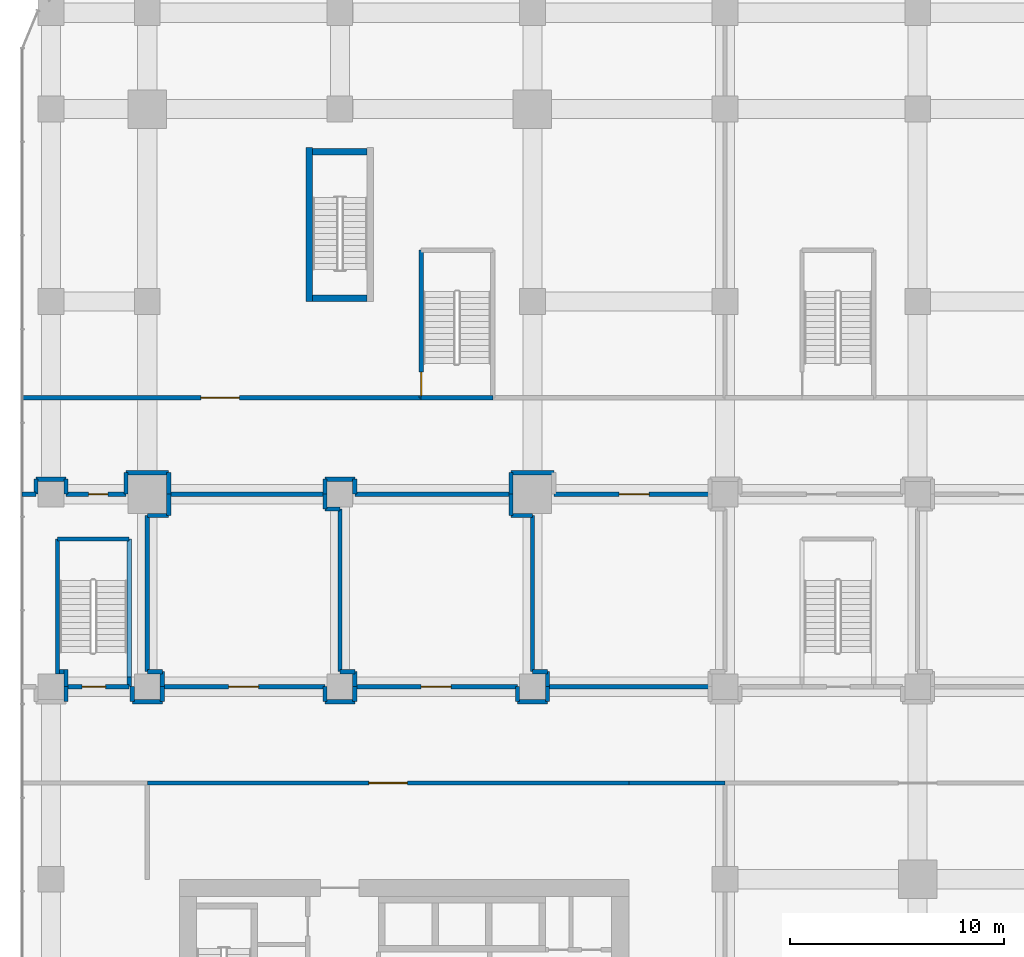
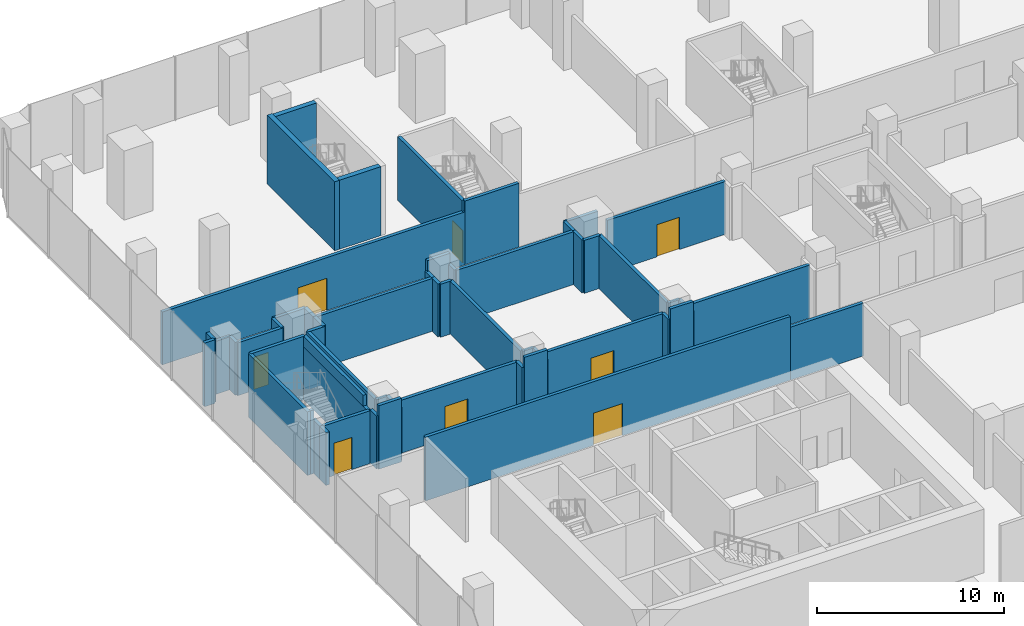
# One storey, part 31 of 43: 59 walls, 8 doors, 8 openings.
"""IFC4 building model written with IfcOpenShell, lengths in metres."""

from ifc_helpers import new_model, si_unit, direction, frame, frame_2d, origin, place, context, subcontext, project, spatial, rectangle, extrude, material, layer, layer_set, type_object, element, fill, save


model = new_model("IFC4")

# Units and contexts
model_context = context("Model", 3, precision=1e-05, world=origin(), true_north=direction((0.0, 1.0)))
body_context = subcontext(model_context, "Body", "Model", "MODEL_VIEW")
ifc_project = project(units=[si_unit("LENGTHUNIT", "METRE"), si_unit("AREAUNIT", "SQUARE_METRE"), si_unit("VOLUMEUNIT", "CUBIC_METRE"), si_unit("PLANEANGLEUNIT", "RADIAN"), si_unit("MASSUNIT", "GRAM", prefix="KILO")], contexts=[model_context])

# Site, building, storey
site_placement = place(None, origin())
site = spatial("IfcSite", under=ifc_project, at=site_placement, CompositionType="ELEMENT")
building_placement = place(site_placement, origin())
building = spatial("IfcBuilding", under=site, at=building_placement, Name="Plateau Cross Towers", CompositionType="ELEMENT")
storey_placement = place(building_placement, frame((0.0, 0.0, 12.800048828125)))
storey = spatial("IfcBuildingStorey", under=building, at=storey_placement, Name="L02", CompositionType="ELEMENT", Elevation=12.800048828125)

# Wall, opening, door
ifc_material_1 = material(Name="Gypsum board on steel studs, two layers each side", Category="steel")
ifc_layer_1 = layer(ifc_material_1, 0.199951171875)
ifc_layer_set_1 = layer_set([ifc_layer_1], Name="Gypsum board on steel studs, two layers each side")
wall_type_1 = type_object("IfcWallType", Name="Podium compartment wall 200", PredefinedType="PARTITIONING", material=ifc_layer_set_1)
wall_1_placement = place(storey_placement, frame((-1.0, 36.0, 0.0), z_axis=(0.0, 0.0, 1.0), x_axis=(-1.0, 0.0, 0.0)))
wall_1 = element("IfcWall", 1, at=wall_1_placement, inside=storey, type_object=wall_type_1, Name="Partition wall", PredefinedType="PARTITIONING", context=body_context, shape_type="SweptSolid", body=[
    extrude(rectangle(XDim=2.800048828125, YDim=0.199951171875, at=frame_2d((1.39990234375, 0.0))), origin(), (0.0, 0.0, 1.0), 3.449951171875),
])
opening_1_placement = place(wall_1_placement, frame((0.85009765625, 0.0, 0.0)))
opening_1 = element("IfcOpeningElement", 2, at=opening_1_placement, cuts=wall_1, Name="Opening 02-18", PredefinedType="OPENING", context=body_context, shape_type="SweptSolid", body=[
    extrude(rectangle(XDim=0.89990234375, YDim=2.10009765625, at=frame_2d((0.449951171875, 1.050048828125))), frame((0.0, 0.10986328125, 0.0), z_axis=(0.0, -1.0, 0.0), x_axis=(1.0, 0.0, 0.0)), (0.0, 0.0, 1.0), 0.219970703125),
])
ifc_material_2 = material(Name="Timber, fire-resisting leaf", Category="wood")
door_type_1 = type_object("IfcDoorType", Name="Podium service door 900", OperationType="NOTDEFINED", PredefinedType="DOOR", material=ifc_material_2)
door_1_placement = place(opening_1_placement, origin())
door_1 = element("IfcDoor", 3, at=door_1_placement, inside=storey, type_object=door_type_1, Name="Door 02-18", OperationType="SINGLE_SWING_LEFT", OverallHeight=2.10009765625, OverallWidth=0.89990234375, PredefinedType="DOOR", context=body_context, shape_type="SweptSolid", body=[
    extrude(rectangle(XDim=0.89990234375, YDim=2.10009765625, at=frame_2d((0.449951171875, 1.050048828125))), frame((0.0, 0.02490234375, 0.0), z_axis=(0.0, -1.0, 0.0), x_axis=(1.0, 0.0, 0.0)), (0.0, 0.0, 1.0), 0.050048828125),
])
fill(opening_1, door_1)

ifc_material_3 = material(Name="Gypsum board on steel studs", Category="steel")
ifc_layer_2 = layer(ifc_material_3, 0.199951171875)
ifc_layer_set_2 = layer_set([ifc_layer_2], Name="Gypsum board on steel studs")
wall_type_2 = type_object("IfcWallType", Name="Podium partition 200", PredefinedType="PARTITIONING", material=ifc_layer_set_2)
wall_2_placement = place(storey_placement, frame((0.0, 22.5, 0.0), z_axis=(0.0, 0.0, 1.0), x_axis=(1.0, 0.0, 0.0)))
wall_2 = element("IfcWall", 4, at=wall_2_placement, inside=storey, type_object=wall_type_2, Name="Partition wall", PredefinedType="PARTITIONING", context=body_context, shape_type="SweptSolid", body=[
    extrude(rectangle(XDim=22.5, YDim=0.199951171875, at=frame_2d((11.25, 0.0))), origin(), (0.0, 0.0, 1.0), 4.14990234375),
])
opening_2_placement = place(wall_2_placement, frame((10.35009765625, 0.0, 0.0)))
opening_2 = element("IfcOpeningElement", 5, at=opening_2_placement, cuts=wall_2, Name="Opening 02-35", PredefinedType="OPENING", context=body_context, shape_type="SweptSolid", body=[
    extrude(rectangle(XDim=1.800048828125, YDim=2.10009765625, at=frame_2d((0.89990234375, 1.050048828125))), frame((0.0, 0.10986328125, 0.0), z_axis=(0.0, -1.0, 0.0), x_axis=(1.0, 0.0, 0.0)), (0.0, 0.0, 1.0), 0.219970703125),
])
ifc_material_4 = material(Name="Aluminium frame, toughened glass", Category="aluminium")
door_type_2 = type_object("IfcDoorType", Name="Podium door pair 1800", OperationType="NOTDEFINED", PredefinedType="DOOR", material=ifc_material_4)
door_2_placement = place(opening_2_placement, origin())
door_2 = element("IfcDoor", 6, at=door_2_placement, inside=storey, type_object=door_type_2, Name="Door 02-35", OperationType="DOUBLE_DOOR_SINGLE_SWING", OverallHeight=2.10009765625, OverallWidth=1.800048828125, PredefinedType="DOOR", context=body_context, shape_type="SweptSolid", body=[
    extrude(rectangle(XDim=1.800048828125, YDim=2.10009765625, at=frame_2d((0.89990234375, 1.050048828125))), frame((0.0, 0.02490234375, 0.0), z_axis=(0.0, -1.0, 0.0), x_axis=(1.0, 0.0, 0.0)), (0.0, 0.0, 1.0), 0.050048828125),
])
fill(opening_2, door_2)

# Wall
wall_3_placement = place(storey_placement, frame((22.5, 22.5, 0.0), z_axis=(0.0, 0.0, 1.0), x_axis=(1.0, 0.0, 0.0)))
element("IfcWall", 7, at=wall_3_placement, inside=storey, type_object=wall_type_2, Name="Partition wall", PredefinedType="PARTITIONING", context=body_context, shape_type="SweptSolid", body=[
    extrude(rectangle(XDim=4.5, YDim=0.199951171875, at=frame_2d((2.25, 0.0))), origin(), (0.0, 0.0, 1.0), 3.449951171875),
])

# Wall, opening, door
wall_4_placement = place(storey_placement, frame((-5.85009765625, 40.5, 0.0), z_axis=(0.0, 0.0, 1.0), x_axis=(1.0, 0.0, 0.0)))
wall_4 = element("IfcWall", 8, at=wall_4_placement, inside=storey, type_object=wall_type_2, Name="Partition wall", PredefinedType="PARTITIONING", context=body_context, shape_type="SweptSolid", body=[
    extrude(rectangle(XDim=18.650146484375, YDim=0.199951171875, at=frame_2d((9.3251953125, 0.0))), origin(), (0.0, 0.0, 1.0), 3.449951171875),
])
opening_3_placement = place(wall_4_placement, frame((8.35009765625, 0.0, 0.0)))
opening_3 = element("IfcOpeningElement", 9, at=opening_3_placement, cuts=wall_4, Name="Opening 02-33", PredefinedType="OPENING", context=body_context, shape_type="SweptSolid", body=[
    extrude(rectangle(XDim=1.800048828125, YDim=2.10009765625, at=frame_2d((0.89990234375, 1.050048828125))), frame((0.0, 0.10986328125, 0.0), z_axis=(0.0, -1.0, 0.0), x_axis=(1.0, 0.0, 0.0)), (0.0, 0.0, 1.0), 0.219970703125),
])
door_3_placement = place(opening_3_placement, origin())
door_3 = element("IfcDoor", 10, at=door_3_placement, inside=storey, type_object=door_type_2, Name="Door 02-33", OperationType="DOUBLE_DOOR_SINGLE_SWING", OverallHeight=2.10009765625, OverallWidth=1.800048828125, PredefinedType="DOOR", context=body_context, shape_type="SweptSolid", body=[
    extrude(rectangle(XDim=1.800048828125, YDim=2.10009765625, at=frame_2d((0.89990234375, 1.050048828125))), frame((0.0, 0.02490234375, 0.0), z_axis=(0.0, -1.0, 0.0), x_axis=(1.0, 0.0, 0.0)), (0.0, 0.0, 1.0), 0.050048828125),
])
fill(opening_3, door_3)

wall_5_placement = place(storey_placement, frame((26.300048828125, 36.0, 0.0), z_axis=(0.0, 0.0, 1.0), x_axis=(-1.0, 0.0, 0.0)))
wall_5 = element("IfcWall", 11, at=wall_5_placement, inside=storey, type_object=wall_type_2, Name="Partition wall", PredefinedType="PARTITIONING", context=body_context, shape_type="SweptSolid", body=[
    extrude(rectangle(XDim=7.300048828125, YDim=0.199951171875, at=frame_2d((3.64990234375, 0.0))), origin(), (0.0, 0.0, 1.0), 3.449951171875),
])
opening_4_placement = place(wall_5_placement, frame((2.85009765625, 0.0, 0.0)))
opening_4 = element("IfcOpeningElement", 12, at=opening_4_placement, cuts=wall_5, Name="Opening 02-21", PredefinedType="OPENING", context=body_context, shape_type="SweptSolid", body=[
    extrude(rectangle(XDim=1.39990234375, YDim=2.10009765625, at=frame_2d((0.699951171875, 1.050048828125))), frame((0.0, 0.10986328125, 0.0), z_axis=(0.0, -1.0, 0.0), x_axis=(1.0, 0.0, 0.0)), (0.0, 0.0, 1.0), 0.219970703125),
])
ifc_material_5 = material(Name="Timber, hospital grade leaf", Category="wood")
door_type_3 = type_object("IfcDoorType", Name="Clinic bed access door 1400x2100", OperationType="NOTDEFINED", PredefinedType="DOOR", material=ifc_material_5)
door_4_placement = place(opening_4_placement, origin())
door_4 = element("IfcDoor", 13, at=door_4_placement, inside=storey, type_object=door_type_3, Name="Door 02-21", OperationType="SINGLE_SWING_LEFT", OverallHeight=2.10009765625, OverallWidth=1.39990234375, PredefinedType="DOOR", context=body_context, shape_type="SweptSolid", body=[
    extrude(rectangle(XDim=1.39990234375, YDim=2.10009765625, at=frame_2d((0.699951171875, 1.050048828125))), frame((0.0, 0.02490234375, 0.0), z_axis=(0.0, -1.0, 0.0), x_axis=(1.0, 0.0, 0.0)), (0.0, 0.0, 1.0), 0.050048828125),
])
fill(opening_4, door_4)

# Walls
wall_6_placement = place(storey_placement, frame((19.0, 37.0, 0.0), z_axis=(0.0, 0.0, 1.0), x_axis=(-1.0, 0.0, 0.0)))
element("IfcWall", 14, at=wall_6_placement, inside=storey, type_object=wall_type_2, Name="Partition wall", PredefinedType="PARTITIONING", context=body_context, shape_type="SweptSolid", body=[
    extrude(rectangle(XDim=2.0, YDim=0.199951171875, at=frame_2d((1.0, 0.0))), origin(), (0.0, 0.0, 1.0), 3.449951171875),
])
for number, where, z_axis, x_axis, name in (
    (15, (17.0, 37.0, 0.0), (0.0, 0.0, 1.0), (0.0, -1.0, 0.0), "Partition wall"),
    (16, (17.0, 36.0, 0.0), (0.0, 0.0, 1.0), (0.0, -1.0, 0.0), "Partition wall"),
    (17, (17.0, 35.0, 0.0), (0.0, 0.0, 1.0), (1.0, 0.0, 0.0), "Partition wall"),
):
    element("IfcWall", number, at=place(storey_placement, frame(where, z_axis=z_axis, x_axis=x_axis)), inside=storey, type_object=wall_type_2, Name=name, PredefinedType="PARTITIONING", context=body_context, shape_type="SweptSolid", body=[
        extrude(rectangle(XDim=1.0, YDim=0.199951171875, at=frame_2d((0.5, 0.0))), origin(), (0.0, 0.0, 1.0), 3.449951171875),
    ])
wall_7_placement = place(storey_placement, frame((18.0, 35.0, 0.0), z_axis=(0.0, 0.0, 1.0), x_axis=(0.0, -1.0, 0.0)))
element("IfcWall", 18, at=wall_7_placement, inside=storey, type_object=wall_type_2, Name="Partition wall", PredefinedType="PARTITIONING", context=body_context, shape_type="SweptSolid", body=[
    extrude(rectangle(XDim=7.300048828125, YDim=0.199951171875, at=frame_2d((3.64990234375, 0.0))), origin(), (0.0, 0.0, 1.0), 3.449951171875),
])
for number, where, z_axis, x_axis, name in (
    (19, (18.0, 27.699951171875, 0.0), (0.0, 0.0, 1.0), (1.0, 0.0, 0.0), "Partition wall"),
    (20, (18.699951171875, 27.699951171875, 0.0), (0.0, 0.0, 1.0), (0.0, -1.0, 0.0), "Partition wall"),
):
    element("IfcWall", number, at=place(storey_placement, frame(where, z_axis=z_axis, x_axis=x_axis)), inside=storey, type_object=wall_type_2, Name=name, PredefinedType="PARTITIONING", context=body_context, shape_type="SweptSolid", body=[
        extrude(rectangle(XDim=0.699951171875, YDim=0.199951171875, at=frame_2d((0.35009765625, 0.0))), origin(), (0.0, 0.0, 1.0), 3.449951171875),
    ])
for number, where, z_axis, x_axis, name in (
    (21, (1.0, 36.0, 0.0), (0.0, 0.0, 1.0), (0.0, -1.0, 0.0), "Partition wall"),
    (22, (1.0, 35.0, 0.0), (0.0, 0.0, 1.0), (-1.0, 0.0, 0.0), "Partition wall"),
):
    element("IfcWall", number, at=place(storey_placement, frame(where, z_axis=z_axis, x_axis=x_axis)), inside=storey, type_object=wall_type_2, Name=name, PredefinedType="PARTITIONING", context=body_context, shape_type="SweptSolid", body=[
        extrude(rectangle(XDim=1.0, YDim=0.199951171875, at=frame_2d((0.5, 0.0))), origin(), (0.0, 0.0, 1.0), 3.449951171875),
    ])
wall_8_placement = place(storey_placement, frame((0.0, 35.0, 0.0), z_axis=(0.0, 0.0, 1.0), x_axis=(0.0, -1.0, 0.0)))
element("IfcWall", 23, at=wall_8_placement, inside=storey, type_object=wall_type_2, Name="Partition wall", PredefinedType="PARTITIONING", context=body_context, shape_type="SweptSolid", body=[
    extrude(rectangle(XDim=7.300048828125, YDim=0.199951171875, at=frame_2d((3.64990234375, 0.0))), origin(), (0.0, 0.0, 1.0), 3.449951171875),
])
for number, where, z_axis, x_axis, name in (
    (24, (0.0, 27.699951171875, 0.0), (0.0, 0.0, 1.0), (1.0, 0.0, 0.0), "Partition wall"),
    (25, (0.699951171875, 27.699951171875, 0.0), (0.0, 0.0, 1.0), (0.0, -1.0, 0.0), "Partition wall"),
):
    element("IfcWall", number, at=place(storey_placement, frame(where, z_axis=z_axis, x_axis=x_axis)), inside=storey, type_object=wall_type_2, Name=name, PredefinedType="PARTITIONING", context=body_context, shape_type="SweptSolid", body=[
        extrude(rectangle(XDim=0.699951171875, YDim=0.199951171875, at=frame_2d((0.35009765625, 0.0))), origin(), (0.0, 0.0, 1.0), 3.449951171875),
    ])

# Wall, opening, door
wall_9_placement = place(storey_placement, frame((9.699951171875, 27.0, 0.0), z_axis=(0.0, 0.0, 1.0), x_axis=(1.0, 0.0, 0.0)))
wall_9 = element("IfcWall", 26, at=wall_9_placement, inside=storey, type_object=wall_type_2, Name="Partition wall", PredefinedType="PARTITIONING", context=body_context, shape_type="SweptSolid", body=[
    extrude(rectangle(XDim=7.60009765625, YDim=0.199951171875, at=frame_2d((3.800048828125, 0.0))), origin(), (0.0, 0.0, 1.0), 3.449951171875),
])
opening_5_placement = place(wall_9_placement, frame((3.10009765625, 0.0, 0.0)))
opening_5 = element("IfcOpeningElement", 27, at=opening_5_placement, cuts=wall_9, Name="Opening 02-20", PredefinedType="OPENING", context=body_context, shape_type="SweptSolid", body=[
    extrude(rectangle(XDim=1.39990234375, YDim=2.10009765625, at=frame_2d((0.699951171875, 1.050048828125))), frame((0.0, 0.10986328125, 0.0), z_axis=(0.0, -1.0, 0.0), x_axis=(1.0, 0.0, 0.0)), (0.0, 0.0, 1.0), 0.219970703125),
])
door_5_placement = place(opening_5_placement, origin())
door_5 = element("IfcDoor", 28, at=door_5_placement, inside=storey, type_object=door_type_3, Name="Door 02-20", OperationType="SINGLE_SWING_LEFT", OverallHeight=2.10009765625, OverallWidth=1.39990234375, PredefinedType="DOOR", context=body_context, shape_type="SweptSolid", body=[
    extrude(rectangle(XDim=1.39990234375, YDim=2.10009765625, at=frame_2d((0.699951171875, 1.050048828125))), frame((0.0, 0.02490234375, 0.0), z_axis=(0.0, -1.0, 0.0), x_axis=(1.0, 0.0, 0.0)), (0.0, 0.0, 1.0), 0.050048828125),
])
fill(opening_5, door_5)

# Walls
wall_10_placement = place(storey_placement, frame((17.300048828125, 27.0, 0.0), z_axis=(0.0, 0.0, 1.0), x_axis=(0.0, -1.0, 0.0)))
element("IfcWall", 29, at=wall_10_placement, inside=storey, type_object=wall_type_2, Name="Partition wall", PredefinedType="PARTITIONING", context=body_context, shape_type="SweptSolid", body=[
    extrude(rectangle(XDim=0.699951171875, YDim=0.199951171875, at=frame_2d((0.35009765625, 0.0))), origin(), (0.0, 0.0, 1.0), 3.449951171875),
])
wall_11_placement = place(storey_placement, frame((17.300048828125, 26.300048828125, 0.0), z_axis=(0.0, 0.0, 1.0), x_axis=(1.0, 0.0, 0.0)))
element("IfcWall", 30, at=wall_11_placement, inside=storey, type_object=wall_type_2, Name="Partition wall", PredefinedType="PARTITIONING", context=body_context, shape_type="SweptSolid", body=[
    extrude(rectangle(XDim=1.39990234375, YDim=0.199951171875, at=frame_2d((0.699951171875, 0.0))), origin(), (0.0, 0.0, 1.0), 4.14990234375),
])
wall_12_placement = place(storey_placement, frame((18.699951171875, 26.300048828125, 0.0), z_axis=(0.0, 0.0, 1.0), x_axis=(0.0, 1.0, 0.0)))
element("IfcWall", 31, at=wall_12_placement, inside=storey, type_object=wall_type_2, Name="Partition wall", PredefinedType="PARTITIONING", context=body_context, shape_type="SweptSolid", body=[
    extrude(rectangle(XDim=0.699951171875, YDim=0.199951171875, at=frame_2d((0.35009765625, 0.0))), origin(), (0.0, 0.0, 1.0), 3.449951171875),
])

# Wall, opening, door
wall_13_placement = place(storey_placement, frame((0.699951171875, 27.0, 0.0), z_axis=(0.0, 0.0, 1.0), x_axis=(1.0, 0.0, 0.0)))
wall_13 = element("IfcWall", 32, at=wall_13_placement, inside=storey, type_object=wall_type_2, Name="Partition wall", PredefinedType="PARTITIONING", context=body_context, shape_type="SweptSolid", body=[
    extrude(rectangle(XDim=7.60009765625, YDim=0.199951171875, at=frame_2d((3.800048828125, 0.0))), origin(), (0.0, 0.0, 1.0), 3.449951171875),
])
opening_6_placement = place(wall_13_placement, frame((3.10009765625, 0.0, 0.0)))
opening_6 = element("IfcOpeningElement", 33, at=opening_6_placement, cuts=wall_13, Name="Opening 02-19", PredefinedType="OPENING", context=body_context, shape_type="SweptSolid", body=[
    extrude(rectangle(XDim=1.39990234375, YDim=2.10009765625, at=frame_2d((0.699951171875, 1.050048828125))), frame((0.0, 0.10986328125, 0.0), z_axis=(0.0, -1.0, 0.0), x_axis=(1.0, 0.0, 0.0)), (0.0, 0.0, 1.0), 0.219970703125),
])
door_6_placement = place(opening_6_placement, origin())
door_6 = element("IfcDoor", 34, at=door_6_placement, inside=storey, type_object=door_type_3, Name="Door 02-19", OperationType="SINGLE_SWING_LEFT", OverallHeight=2.10009765625, OverallWidth=1.39990234375, PredefinedType="DOOR", context=body_context, shape_type="SweptSolid", body=[
    extrude(rectangle(XDim=1.39990234375, YDim=2.10009765625, at=frame_2d((0.699951171875, 1.050048828125))), frame((0.0, 0.02490234375, 0.0), z_axis=(0.0, -1.0, 0.0), x_axis=(1.0, 0.0, 0.0)), (0.0, 0.0, 1.0), 0.050048828125),
])
fill(opening_6, door_6)

# Walls
wall_14_placement = place(storey_placement, frame((8.300048828125, 27.0, 0.0), z_axis=(0.0, 0.0, 1.0), x_axis=(0.0, -1.0, 0.0)))
element("IfcWall", 35, at=wall_14_placement, inside=storey, type_object=wall_type_2, Name="Partition wall", PredefinedType="PARTITIONING", context=body_context, shape_type="SweptSolid", body=[
    extrude(rectangle(XDim=0.699951171875, YDim=0.199951171875, at=frame_2d((0.35009765625, 0.0))), origin(), (0.0, 0.0, 1.0), 3.449951171875),
])
wall_15_placement = place(storey_placement, frame((8.300048828125, 26.300048828125, 0.0), z_axis=(0.0, 0.0, 1.0), x_axis=(1.0, 0.0, 0.0)))
element("IfcWall", 36, at=wall_15_placement, inside=storey, type_object=wall_type_2, Name="Partition wall", PredefinedType="PARTITIONING", context=body_context, shape_type="SweptSolid", body=[
    extrude(rectangle(XDim=1.39990234375, YDim=0.199951171875, at=frame_2d((0.699951171875, 0.0))), origin(), (0.0, 0.0, 1.0), 4.14990234375),
])
wall_16_placement = place(storey_placement, frame((9.699951171875, 26.300048828125, 0.0), z_axis=(0.0, 0.0, 1.0), x_axis=(0.0, 1.0, 0.0)))
element("IfcWall", 37, at=wall_16_placement, inside=storey, type_object=wall_type_2, Name="Partition wall", PredefinedType="PARTITIONING", context=body_context, shape_type="SweptSolid", body=[
    extrude(rectangle(XDim=0.699951171875, YDim=0.199951171875, at=frame_2d((0.35009765625, 0.0))), origin(), (0.0, 0.0, 1.0), 3.449951171875),
])
wall_17_placement = place(storey_placement, frame((16.89990234375, 36.0, 0.0), z_axis=(0.0, 0.0, 1.0), x_axis=(-1.0, 0.0, 0.0)))
element("IfcWall", 38, at=wall_17_placement, inside=storey, type_object=wall_type_2, Name="Partition wall", PredefinedType="PARTITIONING", context=body_context, shape_type="SweptSolid", body=[
    extrude(rectangle(XDim=7.199951171875, YDim=0.199951171875, at=frame_2d((3.60009765625, 0.0))), origin(), (0.0, 0.0, 1.0), 3.449951171875),
])
wall_18_placement = place(storey_placement, frame((9.699951171875, 36.0, 0.0), z_axis=(0.0, 0.0, 1.0), x_axis=(0.0, 1.0, 0.0)))
element("IfcWall", 39, at=wall_18_placement, inside=storey, type_object=wall_type_2, Name="Partition wall", PredefinedType="PARTITIONING", context=body_context, shape_type="SweptSolid", body=[
    extrude(rectangle(XDim=0.699951171875, YDim=0.199951171875, at=frame_2d((0.35009765625, 0.0))), origin(), (0.0, 0.0, 1.0), 3.449951171875),
])
wall_19_placement = place(storey_placement, frame((9.699951171875, 36.699951171875, 0.0), z_axis=(0.0, 0.0, 1.0), x_axis=(-1.0, 0.0, 0.0)))
element("IfcWall", 40, at=wall_19_placement, inside=storey, type_object=wall_type_2, Name="Partition wall", PredefinedType="PARTITIONING", context=body_context, shape_type="SweptSolid", body=[
    extrude(rectangle(XDim=1.39990234375, YDim=0.199951171875, at=frame_2d((0.699951171875, 0.0))), origin(), (0.0, 0.0, 1.0), 4.14990234375),
])
for number, where, z_axis, x_axis, name in (
    (41, (8.300048828125, 36.699951171875, 0.0), (0.0, 0.0, 1.0), (0.0, -1.0, 0.0), "Partition wall"),
    (42, (8.300048828125, 36.0, 0.0), (0.0, 0.0, 1.0), (0.0, -1.0, 0.0), "Partition wall"),
    (43, (8.300048828125, 35.300048828125, 0.0), (0.0, 0.0, 1.0), (1.0, 0.0, 0.0), "Partition wall"),
):
    element("IfcWall", number, at=place(storey_placement, frame(where, z_axis=z_axis, x_axis=x_axis)), inside=storey, type_object=wall_type_2, Name=name, PredefinedType="PARTITIONING", context=body_context, shape_type="SweptSolid", body=[
        extrude(rectangle(XDim=0.699951171875, YDim=0.199951171875, at=frame_2d((0.35009765625, 0.0))), origin(), (0.0, 0.0, 1.0), 3.449951171875),
    ])
wall_20_placement = place(storey_placement, frame((9.0, 35.300048828125, 0.0), z_axis=(0.0, 0.0, 1.0), x_axis=(0.0, -1.0, 0.0)))
element("IfcWall", 44, at=wall_20_placement, inside=storey, type_object=wall_type_2, Name="Partition wall", PredefinedType="PARTITIONING", context=body_context, shape_type="SweptSolid", body=[
    extrude(rectangle(XDim=7.60009765625, YDim=0.199951171875, at=frame_2d((3.800048828125, 0.0))), origin(), (0.0, 0.0, 1.0), 3.449951171875),
])
wall_21_placement = place(storey_placement, frame((18.800048828125, 27.0, 0.0), z_axis=(0.0, 0.0, 1.0), x_axis=(1.0, 0.0, 0.0)))
element("IfcWall", 45, at=wall_21_placement, inside=storey, type_object=wall_type_2, Name="Partition wall", PredefinedType="PARTITIONING", context=body_context, shape_type="SweptSolid", body=[
    extrude(rectangle(XDim=7.5, YDim=0.199951171875, at=frame_2d((3.75, 0.0))), origin(), (0.0, 0.0, 1.0), 3.449951171875),
])
wall_22_placement = place(storey_placement, frame((8.199951171875, 36.0, 0.0), z_axis=(0.0, 0.0, 1.0), x_axis=(-1.0, 0.0, 0.0)))
element("IfcWall", 46, at=wall_22_placement, inside=storey, type_object=wall_type_2, Name="Partition wall", PredefinedType="PARTITIONING", context=body_context, shape_type="SweptSolid", body=[
    extrude(rectangle(XDim=7.199951171875, YDim=0.199951171875, at=frame_2d((3.60009765625, 0.0))), origin(), (0.0, 0.0, 1.0), 3.449951171875),
])
wall_23_placement = place(storey_placement, frame((1.0, 36.0, 0.0), z_axis=(0.0, 0.0, 1.0), x_axis=(0.0, 1.0, 0.0)))
element("IfcWall", 47, at=wall_23_placement, inside=storey, type_object=wall_type_2, Name="Partition wall", PredefinedType="PARTITIONING", context=body_context, shape_type="SweptSolid", body=[
    extrude(rectangle(XDim=1.0, YDim=0.199951171875, at=frame_2d((0.5, 0.0))), origin(), (0.0, 0.0, 1.0), 3.449951171875),
])
wall_24_placement = place(storey_placement, frame((1.0, 37.0, 0.0), z_axis=(0.0, 0.0, 1.0), x_axis=(-1.0, 0.0, 0.0)))
element("IfcWall", 48, at=wall_24_placement, inside=storey, type_object=wall_type_2, Name="Partition wall", PredefinedType="PARTITIONING", context=body_context, shape_type="SweptSolid", body=[
    extrude(rectangle(XDim=2.0, YDim=0.199951171875, at=frame_2d((1.0, 0.0))), origin(), (0.0, 0.0, 1.0), 3.449951171875),
])
wall_25_placement = place(storey_placement, frame((-1.0, 37.0, 0.0), z_axis=(0.0, 0.0, 1.0), x_axis=(0.0, -1.0, 0.0)))
element("IfcWall", 49, at=wall_25_placement, inside=storey, type_object=wall_type_2, Name="Partition wall", PredefinedType="PARTITIONING", context=body_context, shape_type="SweptSolid", body=[
    extrude(rectangle(XDim=1.0, YDim=0.199951171875, at=frame_2d((0.5, 0.0))), origin(), (0.0, 0.0, 1.0), 3.449951171875),
])
for number, where, z_axis, x_axis, name in (
    (50, (-3.800048828125, 26.300048828125, 0.0), (0.0, 0.0, 1.0), (0.0, 1.0, 0.0), "Partition wall"),
    (51, (-3.800048828125, 36.0, 0.0), (0.0, 0.0, 1.0), (0.0, 1.0, 0.0), "Partition wall"),
):
    element("IfcWall", number, at=place(storey_placement, frame(where, z_axis=z_axis, x_axis=x_axis)), inside=storey, type_object=wall_type_2, Name=name, PredefinedType="PARTITIONING", context=body_context, shape_type="SweptSolid", body=[
        extrude(rectangle(XDim=0.699951171875, YDim=0.199951171875, at=frame_2d((0.35009765625, 0.0))), origin(), (0.0, 0.0, 1.0), 3.449951171875),
    ])
wall_26_placement = place(storey_placement, frame((-3.800048828125, 36.699951171875, 0.0), z_axis=(0.0, 0.0, 1.0), x_axis=(-1.0, 0.0, 0.0)))
element("IfcWall", 52, at=wall_26_placement, inside=storey, type_object=wall_type_2, Name="Partition wall", PredefinedType="PARTITIONING", context=body_context, shape_type="SweptSolid", body=[
    extrude(rectangle(XDim=1.39990234375, YDim=0.199951171875, at=frame_2d((0.699951171875, 0.0))), origin(), (0.0, 0.0, 1.0), 3.449951171875),
])
wall_27_placement = place(storey_placement, frame((-5.199951171875, 36.699951171875, 0.0), z_axis=(0.0, 0.0, 1.0), x_axis=(0.0, -1.0, 0.0)))
element("IfcWall", 53, at=wall_27_placement, inside=storey, type_object=wall_type_2, Name="Partition wall", PredefinedType="PARTITIONING", context=body_context, shape_type="SweptSolid", body=[
    extrude(rectangle(XDim=0.699951171875, YDim=0.199951171875, at=frame_2d((0.35009765625, 0.0))), origin(), (0.0, 0.0, 1.0), 4.14990234375),
])
wall_28_placement = place(storey_placement, frame((-5.199951171875, 36.0, 0.0), z_axis=(0.0, 0.0, 1.0), x_axis=(-1.0, 0.0, 0.0)))
element("IfcWall", 54, at=wall_28_placement, inside=storey, type_object=wall_type_2, Name="Partition wall", PredefinedType="PARTITIONING", context=body_context, shape_type="SweptSolid", body=[
    extrude(rectangle(XDim=0.650146484375, YDim=0.199951171875, at=frame_2d((0.3251953125, 0.0))), origin(), (0.0, 0.0, 1.0), 4.14990234375),
])
wall_29_placement = place(storey_placement, frame((-0.699951171875, 27.0, 0.0), z_axis=(0.0, 0.0, 1.0), x_axis=(0.0, -1.0, 0.0)))
element("IfcWall", 55, at=wall_29_placement, inside=storey, type_object=wall_type_2, Name="Partition wall", PredefinedType="PARTITIONING", context=body_context, shape_type="SweptSolid", body=[
    extrude(rectangle(XDim=0.699951171875, YDim=0.199951171875, at=frame_2d((0.35009765625, 0.0))), origin(), (0.0, 0.0, 1.0), 3.449951171875),
])
wall_30_placement = place(storey_placement, frame((-0.699951171875, 26.300048828125, 0.0), z_axis=(0.0, 0.0, 1.0), x_axis=(1.0, 0.0, 0.0)))
element("IfcWall", 56, at=wall_30_placement, inside=storey, type_object=wall_type_2, Name="Partition wall", PredefinedType="PARTITIONING", context=body_context, shape_type="SweptSolid", body=[
    extrude(rectangle(XDim=1.39990234375, YDim=0.199951171875, at=frame_2d((0.699951171875, 0.0))), origin(), (0.0, 0.0, 1.0), 4.14990234375),
])
for number, where, z_axis, x_axis, name in (
    (57, (9.0, 27.699951171875, 0.0), (0.0, 0.0, 1.0), (1.0, 0.0, 0.0), "Partition wall"),
    (58, (9.699951171875, 27.699951171875, 0.0), (0.0, 0.0, 1.0), (0.0, -1.0, 0.0), "Partition wall"),
    (59, (0.699951171875, 26.300048828125, 0.0), (0.0, 0.0, 1.0), (0.0, 1.0, 0.0), "Partition wall"),
):
    element("IfcWall", number, at=place(storey_placement, frame(where, z_axis=z_axis, x_axis=x_axis)), inside=storey, type_object=wall_type_2, Name=name, PredefinedType="PARTITIONING", context=body_context, shape_type="SweptSolid", body=[
        extrude(rectangle(XDim=0.699951171875, YDim=0.199951171875, at=frame_2d((0.35009765625, 0.0))), origin(), (0.0, 0.0, 1.0), 3.449951171875),
    ])

# Wall, opening, door
ifc_material_6 = material(Name="Fire-rated plasterboard shaft wall system")
ifc_layer_3 = layer(ifc_material_6, 0.199951171875)
ifc_layer_set_3 = layer_set([ifc_layer_3], Name="Fire-rated plasterboard shaft wall system")
wall_type_3 = type_object("IfcWallType", Name="Podium stair shaft wall 200", PredefinedType="PARTITIONING", material=ifc_layer_set_3)
wall_31_placement = place(storey_placement, frame((12.800048828125, 40.5, 0.0), z_axis=(0.0, 0.0, 1.0), x_axis=(0.0, 1.0, 0.0)))
wall_31 = element("IfcWall", 60, at=wall_31_placement, inside=storey, type_object=wall_type_3, Name="Partition wall", PredefinedType="PARTITIONING", context=body_context, shape_type="SweptSolid", body=[
    extrude(rectangle(XDim=6.89990234375, YDim=0.199951171875, at=frame_2d((3.449951171875, 0.0))), origin(), (0.0, 0.0, 1.0), 4.14990234375),
])
opening_7_placement = place(wall_31_placement, frame((0.10009765625, 0.0, 0.0)))
opening_7 = element("IfcOpeningElement", 61, at=opening_7_placement, cuts=wall_31, Name="Opening 02-06", PredefinedType="OPENING", context=body_context, shape_type="SweptSolid", body=[
    extrude(rectangle(XDim=1.10009765625, YDim=2.10009765625, at=frame_2d((0.550048828125, 1.050048828125))), frame((0.0, 0.10986328125, 0.0), z_axis=(0.0, -1.0, 0.0), x_axis=(1.0, 0.0, 0.0)), (0.0, 0.0, 1.0), 0.219970703125),
])
ifc_material_7 = material(Name="Steel, fire-resisting leaf", Category="steel")
door_type_4 = type_object("IfcDoorType", Name="Podium stair door 1100", OperationType="NOTDEFINED", PredefinedType="DOOR", material=ifc_material_7)
door_7_placement = place(opening_7_placement, origin())
door_7 = element("IfcDoor", 62, at=door_7_placement, inside=storey, type_object=door_type_4, Name="Door 02-06", OperationType="SINGLE_SWING_LEFT", OverallHeight=2.10009765625, OverallWidth=1.10009765625, PredefinedType="DOOR", context=body_context, shape_type="SweptSolid", body=[
    extrude(rectangle(XDim=1.10009765625, YDim=2.10009765625, at=frame_2d((0.550048828125, 1.050048828125))), frame((0.0, 0.02490234375, 0.0), z_axis=(0.0, -1.0, 0.0), x_axis=(1.0, 0.0, 0.0)), (0.0, 0.0, 1.0), 0.050048828125),
])
fill(opening_7, door_7)

# Walls
wall_32_placement = place(storey_placement, frame((-4.199951171875, 33.89990234375, 0.0), z_axis=(0.0, 0.0, 1.0), x_axis=(1.0, 0.0, 0.0)))
element("IfcWall", 63, at=wall_32_placement, inside=storey, type_object=wall_type_3, Name="Partition wall", PredefinedType="PARTITIONING", context=body_context, shape_type="SweptSolid", body=[
    extrude(rectangle(XDim=3.349853515625, YDim=0.199951171875, at=frame_2d((1.6748046875, 0.0))), origin(), (0.0, 0.0, 1.0), 4.14990234375),
])
wall_33_placement = place(storey_placement, frame((-0.85009765625, 33.89990234375, 0.0), z_axis=(0.0, 0.0, 1.0), x_axis=(0.0, -1.0, 0.0)))
element("IfcWall", 64, at=wall_33_placement, inside=storey, type_object=wall_type_3, Name="Partition wall", PredefinedType="PARTITIONING", context=body_context, shape_type="SweptSolid", body=[
    extrude(rectangle(XDim=6.89990234375, YDim=0.199951171875, at=frame_2d((3.449951171875, 0.0))), origin(), (0.0, 0.0, 1.0), 3.449951171875),
])
wall_34_placement = place(storey_placement, frame((-3.800048828125, 27.0, 0.0), z_axis=(0.0, 0.0, 1.0), x_axis=(0.0, 1.0, 0.0)))
element("IfcWall", 65, at=wall_34_placement, inside=storey, type_object=wall_type_3, Name="Partition wall", PredefinedType="PARTITIONING", context=body_context, shape_type="SweptSolid", body=[
    extrude(rectangle(XDim=0.800048828125, YDim=0.199951171875, at=frame_2d((0.39990234375, 0.0))), origin(), (0.0, 0.0, 1.0), 3.449951171875),
])
wall_35_placement = place(storey_placement, frame((-3.89990234375, 27.699951171875, 0.0), z_axis=(0.0, 0.0, 1.0), x_axis=(-1.0, 0.0, 0.0)))
element("IfcWall", 66, at=wall_35_placement, inside=storey, type_object=wall_type_3, Name="Partition wall", PredefinedType="PARTITIONING", context=body_context, shape_type="SweptSolid", body=[
    extrude(rectangle(XDim=0.2001953125, YDim=0.199951171875, at=frame_2d((0.10009765625, 0.0))), origin(), (0.0, 0.0, 1.0), 4.14990234375),
])
wall_36_placement = place(storey_placement, frame((-4.199951171875, 27.60009765625, 0.0), z_axis=(0.0, 0.0, 1.0), x_axis=(0.0, 1.0, 0.0)))
element("IfcWall", 67, at=wall_36_placement, inside=storey, type_object=wall_type_3, Name="Partition wall", PredefinedType="PARTITIONING", context=body_context, shape_type="SweptSolid", body=[
    extrude(rectangle(XDim=6.2998046875, YDim=0.199951171875, at=frame_2d((3.14990234375, 0.0))), origin(), (0.0, 0.0, 1.0), 4.14990234375),
])
wall_37_placement = place(storey_placement, frame((16.14990234375, 40.5, 0.0), z_axis=(0.0, 0.0, 1.0), x_axis=(-1.0, 0.0, 0.0)))
element("IfcWall", 68, at=wall_37_placement, inside=storey, type_object=wall_type_3, Name="Partition wall", PredefinedType="PARTITIONING", context=body_context, shape_type="SweptSolid", body=[
    extrude(rectangle(XDim=3.349853515625, YDim=0.199951171875, at=frame_2d((1.6748046875, 0.0))), origin(), (0.0, 0.0, 1.0), 4.14990234375),
])

# Wall, opening, door
wall_38_placement = place(storey_placement, frame((-0.85009765625, 27.0, 0.0), z_axis=(0.0, 0.0, 1.0), x_axis=(-1.0, 0.0, 0.0)))
wall_38 = element("IfcWall", 69, at=wall_38_placement, inside=storey, type_object=wall_type_3, Name="Partition wall", PredefinedType="PARTITIONING", context=body_context, shape_type="SweptSolid", body=[
    extrude(rectangle(XDim=2.849853515625, YDim=0.199951171875, at=frame_2d((1.4248046875, 0.0))), origin(), (0.0, 0.0, 1.0), 3.449951171875),
])
opening_8_placement = place(wall_38_placement, frame((1.10009765625, 0.0, 0.0)))
opening_8 = element("IfcOpeningElement", 70, at=opening_8_placement, cuts=wall_38, Name="Opening 02-04", PredefinedType="OPENING", context=body_context, shape_type="SweptSolid", body=[
    extrude(rectangle(XDim=1.10009765625, YDim=2.10009765625, at=frame_2d((0.550048828125, 1.050048828125))), frame((0.0, 0.10986328125, 0.0), z_axis=(0.0, -1.0, 0.0), x_axis=(1.0, 0.0, 0.0)), (0.0, 0.0, 1.0), 0.219970703125),
])
door_8_placement = place(opening_8_placement, origin())
door_8 = element("IfcDoor", 71, at=door_8_placement, inside=storey, type_object=door_type_4, Name="Door 02-04", OperationType="SINGLE_SWING_LEFT", OverallHeight=2.10009765625, OverallWidth=1.10009765625, PredefinedType="DOOR", context=body_context, shape_type="SweptSolid", body=[
    extrude(rectangle(XDim=1.10009765625, YDim=2.10009765625, at=frame_2d((0.550048828125, 1.050048828125))), frame((0.0, 0.02490234375, 0.0), z_axis=(0.0, -1.0, 0.0), x_axis=(1.0, 0.0, 0.0)), (0.0, 0.0, 1.0), 0.050048828125),
])
fill(opening_8, door_8)

# Walls
wall_39_placement = place(storey_placement, frame((-0.85009765625, 33.89990234375, 3.449951171875), z_axis=(0.0, 0.0, 1.0), x_axis=(0.0, -1.0, 0.0)))
element("IfcWall", 72, at=wall_39_placement, inside=storey, type_object=wall_type_3, Name="Partition wall head", PredefinedType="PARTITIONING", context=body_context, shape_type="SweptSolid", body=[
    extrude(rectangle(XDim=6.449951171875, YDim=0.199951171875, at=frame_2d((3.22509765625, 0.0))), origin(), (0.0, 0.0, 1.0), 0.699951171875),
])
ifc_material_8 = material(Name="Concrete C60/75", Category="concrete")
ifc_layer_4 = layer(ifc_material_8, 0.300048828125)
ifc_layer_set_4 = layer_set([ifc_layer_4], Name="Concrete C60/75")
wall_type_4 = type_object("IfcWallType", Name="Stair tower wall 300", PredefinedType="SHEAR", material=ifc_layer_set_4)
for number, where, z_axis, x_axis, name in (
    (73, (7.72509765625, 45.14990234375, 0.0), (0.0, 0.0, 1.0), (1.0, 0.0, 0.0), "A-end-N-S@L02"),
    (74, (7.72509765625, 52.0, 0.0), (0.0, 0.0, 1.0), (1.0, 0.0, 0.0), "A-end-N-N@L02"),
):
    element("IfcWall", number, at=place(storey_placement, frame(where, z_axis=z_axis, x_axis=x_axis)), inside=storey, type_object=wall_type_4, Name=name, PredefinedType="SHEAR", context=body_context, shape_type="SweptSolid", body=[
        extrude(rectangle(XDim=2.5498046875, YDim=0.300048828125, at=frame_2d((1.27490234375, 0.0))), origin(), (0.0, 0.0, 1.0), 4.5),
    ])
wall_40_placement = place(storey_placement, frame((7.574951171875, 45.0, 0.0), z_axis=(0.0, 0.0, 1.0), x_axis=(0.0, 1.0, 0.0)))
element("IfcWall", 75, at=wall_40_placement, inside=storey, type_object=wall_type_4, Name="A-end-N-W@L02", PredefinedType="SHEAR", context=body_context, shape_type="SweptSolid", body=[
    extrude(rectangle(XDim=7.199951171875, YDim=0.300048828125, at=frame_2d((3.60009765625, 0.0))), origin(), (0.0, 0.0, 1.0), 4.5),
])

save(model, "model.ifc")
